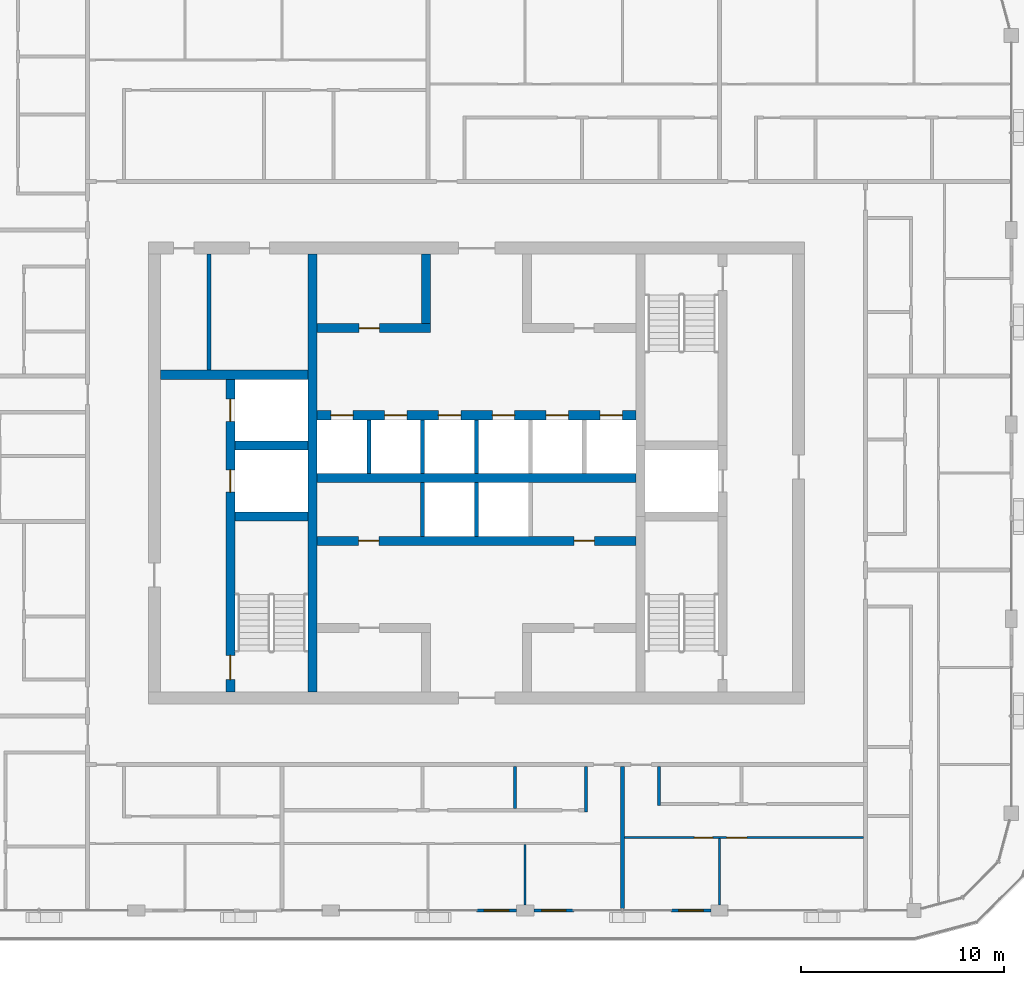
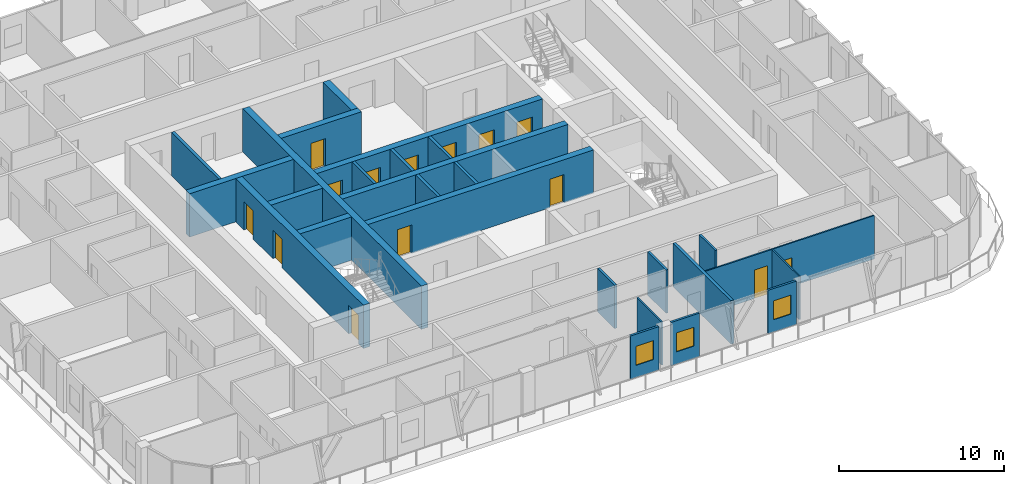
# One storey, part 11 of 21: 26 walls, 14 doors, 3 windows, 17 openings.
"""IFC4 building model written with IfcOpenShell, lengths in metres."""

from ifc_helpers import new_model, si_unit, direction, frame, frame_2d, origin, place, context, subcontext, project, spatial, rectangle, extrude, material, layer, layer_set, type_object, element, fill, save


model = new_model("IFC4")

# Units and contexts
model_context = context("Model", 3, precision=1e-05, world=origin(), true_north=direction((0.0, 1.0)))
body_context = subcontext(model_context, "Body", "Model", "MODEL_VIEW")
ifc_project = project(units=[si_unit("LENGTHUNIT", "METRE"), si_unit("AREAUNIT", "SQUARE_METRE"), si_unit("VOLUMEUNIT", "CUBIC_METRE"), si_unit("PLANEANGLEUNIT", "RADIAN"), si_unit("MASSUNIT", "GRAM", prefix="KILO")], contexts=[model_context])

# Site, building, storey
site_placement = place(None, origin())
site = spatial("IfcSite", under=ifc_project, at=site_placement, CompositionType="ELEMENT")
building_placement = place(site_placement, origin())
building = spatial("IfcBuilding", under=site, at=building_placement, Name="Madar Terraces", CompositionType="ELEMENT")
storey_placement = place(building_placement, frame((0.0, 0.0, 252.699951171875)))
storey = spatial("IfcBuildingStorey", under=building, at=storey_placement, Name="L66", CompositionType="ELEMENT", Elevation=252.699951171875)

# Wall, openings, doors
ifc_material_1 = material(Name="Concrete C55/67", Category="concrete")
ifc_layer_1 = layer(ifc_material_1, 0.449951171875)
ifc_layer_set_1 = layer_set([ifc_layer_1], Name="Concrete C55/67 (CIW5 RC wall 450)")
wall_type_1 = type_object("IfcWallType", Name="CIW5 RC wall 450", PredefinedType="SHEAR", material=ifc_layer_set_1)
wall_1_placement = place(storey_placement, frame((19.050048828125, 15.60009765625, 0.0), z_axis=(0.0, 0.0, 1.0), x_axis=(0.0, 1.0, 0.0)))
wall_1 = element("IfcWall", 1, at=wall_1_placement, inside=storey, type_object=wall_type_1, Name="CORE SHAFT WALL", PredefinedType="SHEAR", context=body_context, shape_type="SweptSolid", body=[
    extrude(rectangle(XDim=15.4248046875, YDim=0.449951171875, at=frame_2d((7.71240234375, 0.0))), origin(), (0.0, 0.0, 1.0), 3.199951171875),
])
opening_1_placement = place(wall_1_placement, frame((9.85009765625, 0.0, 0.0)))
opening_1 = element("IfcOpeningElement", 2, at=opening_1_placement, cuts=wall_1, Name="Opening LD", PredefinedType="OPENING", context=body_context, shape_type="SweptSolid", body=[
    extrude(rectangle(XDim=1.10009765625, YDim=2.10009765625, at=frame_2d((0.550048828125, 1.050048828125))), frame((0.0, 0.23486328125, 0.0), z_axis=(0.0, -1.0, 0.0), x_axis=(1.0, 0.0, 0.0)), (0.0, 0.0, 1.0), 0.469970703125),
])
opening_2_placement = place(wall_1_placement, frame((13.35009765625, 0.0, 0.0)))
opening_2 = element("IfcOpeningElement", 3, at=opening_2_placement, cuts=wall_1, Name="Opening LD", PredefinedType="OPENING", context=body_context, shape_type="SweptSolid", body=[
    extrude(rectangle(XDim=1.10009765625, YDim=2.10009765625, at=frame_2d((0.550048828125, 1.050048828125))), frame((0.0, 0.23486328125, 0.0), z_axis=(0.0, -1.0, 0.0), x_axis=(1.0, 0.0, 0.0)), (0.0, 0.0, 1.0), 0.469970703125),
])
opening_3_placement = place(wall_1_placement, frame((0.60009765625, 0.0, 0.0)))
opening_3 = element("IfcOpeningElement", 4, at=opening_3_placement, cuts=wall_1, Name="Opening SD1", PredefinedType="OPENING", context=body_context, shape_type="SweptSolid", body=[
    extrude(rectangle(XDim=1.199951171875, YDim=2.10009765625, at=frame_2d((0.60009765625, 1.050048828125))), frame((0.0, 0.23486328125, 0.0), z_axis=(0.0, -1.0, 0.0), x_axis=(1.0, 0.0, 0.0)), (0.0, 0.0, 1.0), 0.469970703125),
])
ifc_material_2 = material(Name="Stainless steel panel", Category="steel")
door_type_1 = type_object("IfcDoorType", Name="Lift landing door 1100 x 2100", OperationType="DOUBLE_DOOR_SLIDING", PredefinedType="DOOR", material=ifc_material_2)
door_1_placement = place(opening_1_placement, origin())
door_1 = element("IfcDoor", 5, at=door_1_placement, inside=storey, type_object=door_type_1, Name="LIFT LANDING DOOR", OperationType="DOUBLE_DOOR_SLIDING", OverallHeight=2.10009765625, OverallWidth=1.10009765625, PredefinedType="DOOR", context=body_context, shape_type="SweptSolid", body=[
    extrude(rectangle(XDim=1.10009765625, YDim=2.10009765625, at=frame_2d((0.550048828125, 1.050048828125))), frame((0.0, 0.02490234375, 0.0), z_axis=(0.0, -1.0, 0.0), x_axis=(1.0, 0.0, 0.0)), (0.0, 0.0, 1.0), 0.050048828125),
])
fill(opening_1, door_1)
door_2_placement = place(opening_2_placement, origin())
door_2 = element("IfcDoor", 6, at=door_2_placement, inside=storey, type_object=door_type_1, Name="LIFT LANDING DOOR", OperationType="DOUBLE_DOOR_SLIDING", OverallHeight=2.10009765625, OverallWidth=1.10009765625, PredefinedType="DOOR", context=body_context, shape_type="SweptSolid", body=[
    extrude(rectangle(XDim=1.10009765625, YDim=2.10009765625, at=frame_2d((0.550048828125, 1.050048828125))), frame((0.0, 0.02490234375, 0.0), z_axis=(0.0, -1.0, 0.0), x_axis=(1.0, 0.0, 0.0)), (0.0, 0.0, 1.0), 0.050048828125),
])
fill(opening_2, door_2)
ifc_material_3 = material(Name="Steel door leaf", Category="steel")
door_type_2 = type_object("IfcDoorType", Name="Stair door 1200 x 2100", OperationType="NOTDEFINED", PredefinedType="DOOR", material=ifc_material_3)
door_3_placement = place(opening_3_placement, frame((1.199951171875, 0.0, 0.0), z_axis=(0.0, 0.0, 1.0), x_axis=(-1.0, 0.0, 0.0)))
door_3 = element("IfcDoor", 7, at=door_3_placement, inside=storey, type_object=door_type_2, Name="STAIR DOOR", OperationType="SINGLE_SWING_RIGHT", OverallHeight=2.10009765625, OverallWidth=1.199951171875, PredefinedType="DOOR", context=body_context, shape_type="SweptSolid", body=[
    extrude(rectangle(XDim=1.199951171875, YDim=2.10009765625, at=frame_2d((0.60009765625, 1.050048828125))), frame((0.0, 0.02490234375, 0.0), z_axis=(0.0, -1.0, 0.0), x_axis=(1.0, 0.0, 0.0)), (0.0, 0.0, 1.0), 0.050048828125),
])
fill(opening_3, door_3)

# Walls
wall_2_placement = place(storey_placement, frame((23.10009765625, 15.60009765625, 0.0), z_axis=(0.0, 0.0, 1.0), x_axis=(0.0, 1.0, 0.0)))
element("IfcWall", 8, at=wall_2_placement, inside=storey, type_object=wall_type_1, Name="CORE SHAFT WALL", PredefinedType="SHEAR", context=body_context, shape_type="SweptSolid", body=[
    extrude(rectangle(XDim=21.599853515625, YDim=0.449951171875, at=frame_2d((10.7998046875, 0.0))), origin(), (0.0, 0.0, 1.0), 3.199951171875),
])
for number, where, z_axis, x_axis, name in (
    (9, (19.27490234375, 24.25, 0.0), (0.0, 0.0, 1.0), (1.0, 0.0, 0.0), "CORE SHAFT WALL"),
    (10, (19.27490234375, 27.75, 0.0), (0.0, 0.0, 1.0), (1.0, 0.0, 0.0), "CORE SHAFT WALL"),
):
    element("IfcWall", number, at=place(storey_placement, frame(where, z_axis=z_axis, x_axis=x_axis)), inside=storey, type_object=wall_type_1, Name=name, PredefinedType="SHEAR", context=body_context, shape_type="SweptSolid", body=[
        extrude(rectangle(XDim=3.60009765625, YDim=0.449951171875, at=frame_2d((1.800048828125, 0.0))), origin(), (0.0, 0.0, 1.0), 3.199951171875),
    ])
wall_3_placement = place(storey_placement, frame((15.60009765625, 31.25, 0.0), z_axis=(0.0, 0.0, 1.0), x_axis=(1.0, 0.0, 0.0)))
element("IfcWall", 11, at=wall_3_placement, inside=storey, type_object=wall_type_1, Name="CORE SHAFT WALL", PredefinedType="SHEAR", context=body_context, shape_type="SweptSolid", body=[
    extrude(rectangle(XDim=7.27490234375, YDim=0.449951171875, at=frame_2d((3.637451171875, 0.0))), origin(), (0.0, 0.0, 1.0), 3.199951171875),
])

# Wall, openings, doors
wall_4_placement = place(storey_placement, frame((23.324951171875, 23.050048828125, 0.0), z_axis=(0.0, 0.0, 1.0), x_axis=(1.0, 0.0, 0.0)))
wall_4 = element("IfcWall", 12, at=wall_4_placement, inside=storey, type_object=wall_type_1, Name="CORE SHAFT WALL", PredefinedType="SHEAR", context=body_context, shape_type="SweptSolid", body=[
    extrude(rectangle(XDim=15.75, YDim=0.449951171875, at=frame_2d((7.875, 0.0))), origin(), (0.0, 0.0, 1.0), 3.199951171875),
])
opening_4_placement = place(wall_4_placement, frame((2.058349609375, 0.0, 0.0)))
opening_4 = element("IfcOpeningElement", 13, at=opening_4_placement, cuts=wall_4, Name="Opening KD2", PredefinedType="OPENING", context=body_context, shape_type="SweptSolid", body=[
    extrude(rectangle(XDim=1.0, YDim=2.10009765625, at=frame_2d((0.5, 1.050048828125))), frame((0.0, 0.23486328125, 0.0), z_axis=(0.0, -1.0, 0.0), x_axis=(1.0, 0.0, 0.0)), (0.0, 0.0, 1.0), 0.469970703125),
])
opening_5_placement = place(wall_4_placement, frame((12.691650390625, 0.0, 0.0)))
opening_5 = element("IfcOpeningElement", 14, at=opening_5_placement, cuts=wall_4, Name="Opening KD2", PredefinedType="OPENING", context=body_context, shape_type="SweptSolid", body=[
    extrude(rectangle(XDim=1.0, YDim=2.10009765625, at=frame_2d((0.5, 1.050048828125))), frame((0.0, 0.23486328125, 0.0), z_axis=(0.0, -1.0, 0.0), x_axis=(1.0, 0.0, 0.0)), (0.0, 0.0, 1.0), 0.469970703125),
])
ifc_material_4 = material(Name="Steel door leaf", Category="steel")
door_type_3 = type_object("IfcDoorType", Name="Service room door 1000 x 2100", OperationType="NOTDEFINED", PredefinedType="DOOR", material=ifc_material_4)
door_4_placement = place(opening_4_placement, frame((1.0, 0.0, 0.0), z_axis=(0.0, 0.0, 1.0), x_axis=(-1.0, 0.0, 0.0)))
door_4 = element("IfcDoor", 15, at=door_4_placement, inside=storey, type_object=door_type_3, Name="SERVICE ROOM DOOR", OperationType="SINGLE_SWING_LEFT", OverallHeight=2.10009765625, OverallWidth=1.0, PredefinedType="DOOR", context=body_context, shape_type="SweptSolid", body=[
    extrude(rectangle(XDim=1.0, YDim=2.10009765625, at=frame_2d((0.5, 1.050048828125))), frame((0.0, 0.02490234375, 0.0), z_axis=(0.0, -1.0, 0.0), x_axis=(1.0, 0.0, 0.0)), (0.0, 0.0, 1.0), 0.050048828125),
])
fill(opening_4, door_4)
door_5_placement = place(opening_5_placement, frame((1.0, 0.0, 0.0), z_axis=(0.0, 0.0, 1.0), x_axis=(-1.0, 0.0, 0.0)))
door_5 = element("IfcDoor", 16, at=door_5_placement, inside=storey, type_object=door_type_3, Name="SERVICE ROOM DOOR", OperationType="SINGLE_SWING_RIGHT", OverallHeight=2.10009765625, OverallWidth=1.0, PredefinedType="DOOR", context=body_context, shape_type="SweptSolid", body=[
    extrude(rectangle(XDim=1.0, YDim=2.10009765625, at=frame_2d((0.5, 1.050048828125))), frame((0.0, 0.02490234375, 0.0), z_axis=(0.0, -1.0, 0.0), x_axis=(1.0, 0.0, 0.0)), (0.0, 0.0, 1.0), 0.050048828125),
])
fill(opening_5, door_5)

# Wall
wall_5_placement = place(storey_placement, frame((23.324951171875, 26.14990234375, 0.0), z_axis=(0.0, 0.0, 1.0), x_axis=(1.0, 0.0, 0.0)))
element("IfcWall", 17, at=wall_5_placement, inside=storey, type_object=wall_type_1, Name="CORE SHAFT WALL", PredefinedType="SHEAR", context=body_context, shape_type="SweptSolid", body=[
    extrude(rectangle(XDim=15.75, YDim=0.449951171875, at=frame_2d((7.875, 0.0))), origin(), (0.0, 0.0, 1.0), 3.199951171875),
])

# Wall, openings, doors
wall_6_placement = place(storey_placement, frame((23.324951171875, 29.25, 0.0), z_axis=(0.0, 0.0, 1.0), x_axis=(1.0, 0.0, 0.0)))
wall_6 = element("IfcWall", 18, at=wall_6_placement, inside=storey, type_object=wall_type_1, Name="CORE SHAFT WALL", PredefinedType="SHEAR", context=body_context, shape_type="SweptSolid", body=[
    extrude(rectangle(XDim=15.75, YDim=0.449951171875, at=frame_2d((7.875, 0.0))), origin(), (0.0, 0.0, 1.0), 3.199951171875),
])
opening_6_placement = place(wall_6_placement, frame((0.67919921875, 0.0, 0.0)))
opening_6 = element("IfcOpeningElement", 19, at=opening_6_placement, cuts=wall_6, Name="Opening LD", PredefinedType="OPENING", context=body_context, shape_type="SweptSolid", body=[
    extrude(rectangle(XDim=1.10009765625, YDim=2.10009765625, at=frame_2d((0.550048828125, 1.050048828125))), frame((0.0, 0.23486328125, 0.0), z_axis=(0.0, -1.0, 0.0), x_axis=(1.0, 0.0, 0.0)), (0.0, 0.0, 1.0), 0.469970703125),
])
opening_7_placement = place(wall_6_placement, frame((3.33740234375, 0.0, 0.0)))
opening_7 = element("IfcOpeningElement", 20, at=opening_7_placement, cuts=wall_6, Name="Opening LD", PredefinedType="OPENING", context=body_context, shape_type="SweptSolid", body=[
    extrude(rectangle(XDim=1.10009765625, YDim=2.10009765625, at=frame_2d((0.550048828125, 1.050048828125))), frame((0.0, 0.23486328125, 0.0), z_axis=(0.0, -1.0, 0.0), x_axis=(1.0, 0.0, 0.0)), (0.0, 0.0, 1.0), 0.469970703125),
])
opening_8_placement = place(wall_6_placement, frame((5.995849609375, 0.0, 0.0)))
opening_8 = element("IfcOpeningElement", 21, at=opening_8_placement, cuts=wall_6, Name="Opening LD", PredefinedType="OPENING", context=body_context, shape_type="SweptSolid", body=[
    extrude(rectangle(XDim=1.10009765625, YDim=2.10009765625, at=frame_2d((0.550048828125, 1.050048828125))), frame((0.0, 0.23486328125, 0.0), z_axis=(0.0, -1.0, 0.0), x_axis=(1.0, 0.0, 0.0)), (0.0, 0.0, 1.0), 0.469970703125),
])
opening_9_placement = place(wall_6_placement, frame((8.654052734375, 0.0, 0.0)))
opening_9 = element("IfcOpeningElement", 22, at=opening_9_placement, cuts=wall_6, Name="Opening LD", PredefinedType="OPENING", context=body_context, shape_type="SweptSolid", body=[
    extrude(rectangle(XDim=1.10009765625, YDim=2.10009765625, at=frame_2d((0.550048828125, 1.050048828125))), frame((0.0, 0.23486328125, 0.0), z_axis=(0.0, -1.0, 0.0), x_axis=(1.0, 0.0, 0.0)), (0.0, 0.0, 1.0), 0.469970703125),
])
opening_10_placement = place(wall_6_placement, frame((11.3125, 0.0, 0.0)))
opening_10 = element("IfcOpeningElement", 23, at=opening_10_placement, cuts=wall_6, Name="Opening LD", PredefinedType="OPENING", context=body_context, shape_type="SweptSolid", body=[
    extrude(rectangle(XDim=1.10009765625, YDim=2.10009765625, at=frame_2d((0.550048828125, 1.050048828125))), frame((0.0, 0.23486328125, 0.0), z_axis=(0.0, -1.0, 0.0), x_axis=(1.0, 0.0, 0.0)), (0.0, 0.0, 1.0), 0.469970703125),
])
opening_11_placement = place(wall_6_placement, frame((13.970947265625, 0.0, 0.0)))
opening_11 = element("IfcOpeningElement", 24, at=opening_11_placement, cuts=wall_6, Name="Opening LD", PredefinedType="OPENING", context=body_context, shape_type="SweptSolid", body=[
    extrude(rectangle(XDim=1.10009765625, YDim=2.10009765625, at=frame_2d((0.550048828125, 1.050048828125))), frame((0.0, 0.23486328125, 0.0), z_axis=(0.0, -1.0, 0.0), x_axis=(1.0, 0.0, 0.0)), (0.0, 0.0, 1.0), 0.469970703125),
])
door_6_placement = place(opening_6_placement, origin())
door_6 = element("IfcDoor", 25, at=door_6_placement, inside=storey, type_object=door_type_1, Name="LIFT LANDING DOOR", OperationType="DOUBLE_DOOR_SLIDING", OverallHeight=2.10009765625, OverallWidth=1.10009765625, PredefinedType="DOOR", context=body_context, shape_type="SweptSolid", body=[
    extrude(rectangle(XDim=1.10009765625, YDim=2.10009765625, at=frame_2d((0.550048828125, 1.050048828125))), frame((0.0, 0.02490234375, 0.0), z_axis=(0.0, -1.0, 0.0), x_axis=(1.0, 0.0, 0.0)), (0.0, 0.0, 1.0), 0.050048828125),
])
fill(opening_6, door_6)
door_7_placement = place(opening_7_placement, origin())
door_7 = element("IfcDoor", 26, at=door_7_placement, inside=storey, type_object=door_type_1, Name="LIFT LANDING DOOR", OperationType="DOUBLE_DOOR_SLIDING", OverallHeight=2.10009765625, OverallWidth=1.10009765625, PredefinedType="DOOR", context=body_context, shape_type="SweptSolid", body=[
    extrude(rectangle(XDim=1.10009765625, YDim=2.10009765625, at=frame_2d((0.550048828125, 1.050048828125))), frame((0.0, 0.02490234375, 0.0), z_axis=(0.0, -1.0, 0.0), x_axis=(1.0, 0.0, 0.0)), (0.0, 0.0, 1.0), 0.050048828125),
])
fill(opening_7, door_7)
door_8_placement = place(opening_8_placement, origin())
door_8 = element("IfcDoor", 27, at=door_8_placement, inside=storey, type_object=door_type_1, Name="LIFT LANDING DOOR", OperationType="DOUBLE_DOOR_SLIDING", OverallHeight=2.10009765625, OverallWidth=1.10009765625, PredefinedType="DOOR", context=body_context, shape_type="SweptSolid", body=[
    extrude(rectangle(XDim=1.10009765625, YDim=2.10009765625, at=frame_2d((0.550048828125, 1.050048828125))), frame((0.0, 0.02490234375, 0.0), z_axis=(0.0, -1.0, 0.0), x_axis=(1.0, 0.0, 0.0)), (0.0, 0.0, 1.0), 0.050048828125),
])
fill(opening_8, door_8)
door_9_placement = place(opening_9_placement, origin())
door_9 = element("IfcDoor", 28, at=door_9_placement, inside=storey, type_object=door_type_1, Name="LIFT LANDING DOOR", OperationType="DOUBLE_DOOR_SLIDING", OverallHeight=2.10009765625, OverallWidth=1.10009765625, PredefinedType="DOOR", context=body_context, shape_type="SweptSolid", body=[
    extrude(rectangle(XDim=1.10009765625, YDim=2.10009765625, at=frame_2d((0.550048828125, 1.050048828125))), frame((0.0, 0.02490234375, 0.0), z_axis=(0.0, -1.0, 0.0), x_axis=(1.0, 0.0, 0.0)), (0.0, 0.0, 1.0), 0.050048828125),
])
fill(opening_9, door_9)
door_10_placement = place(opening_10_placement, origin())
door_10 = element("IfcDoor", 29, at=door_10_placement, inside=storey, type_object=door_type_1, Name="LIFT LANDING DOOR", OperationType="DOUBLE_DOOR_SLIDING", OverallHeight=2.10009765625, OverallWidth=1.10009765625, PredefinedType="DOOR", context=body_context, shape_type="SweptSolid", body=[
    extrude(rectangle(XDim=1.10009765625, YDim=2.10009765625, at=frame_2d((0.550048828125, 1.050048828125))), frame((0.0, 0.02490234375, 0.0), z_axis=(0.0, -1.0, 0.0), x_axis=(1.0, 0.0, 0.0)), (0.0, 0.0, 1.0), 0.050048828125),
])
fill(opening_10, door_10)
door_11_placement = place(opening_11_placement, origin())
door_11 = element("IfcDoor", 30, at=door_11_placement, inside=storey, type_object=door_type_1, Name="LIFT LANDING DOOR", OperationType="DOUBLE_DOOR_SLIDING", OverallHeight=2.10009765625, OverallWidth=1.10009765625, PredefinedType="DOOR", context=body_context, shape_type="SweptSolid", body=[
    extrude(rectangle(XDim=1.10009765625, YDim=2.10009765625, at=frame_2d((0.550048828125, 1.050048828125))), frame((0.0, 0.02490234375, 0.0), z_axis=(0.0, -1.0, 0.0), x_axis=(1.0, 0.0, 0.0)), (0.0, 0.0, 1.0), 0.050048828125),
])
fill(opening_11, door_11)

# Wall, opening, door
wall_7_placement = place(storey_placement, frame((23.324951171875, 33.550048828125, 0.0), z_axis=(0.0, 0.0, 1.0), x_axis=(1.0, 0.0, 0.0)))
wall_7 = element("IfcWall", 31, at=wall_7_placement, inside=storey, type_object=wall_type_1, Name="CORE SHAFT WALL", PredefinedType="SHEAR", context=body_context, shape_type="SweptSolid", body=[
    extrude(rectangle(XDim=5.60009765625, YDim=0.449951171875, at=frame_2d((2.800048828125, 0.0))), origin(), (0.0, 0.0, 1.0), 3.199951171875),
])
opening_12_placement = place(wall_7_placement, frame((2.074951171875, 0.0, 0.0)))
opening_12 = element("IfcOpeningElement", 32, at=opening_12_placement, cuts=wall_7, Name="Opening KD2", PredefinedType="OPENING", context=body_context, shape_type="SweptSolid", body=[
    extrude(rectangle(XDim=1.0, YDim=2.10009765625, at=frame_2d((0.5, 1.050048828125))), frame((0.0, 0.23486328125, 0.0), z_axis=(0.0, -1.0, 0.0), x_axis=(1.0, 0.0, 0.0)), (0.0, 0.0, 1.0), 0.469970703125),
])
door_12_placement = place(opening_12_placement, frame((1.0, 0.0, 0.0), z_axis=(0.0, 0.0, 1.0), x_axis=(-1.0, 0.0, 0.0)))
door_12 = element("IfcDoor", 33, at=door_12_placement, inside=storey, type_object=door_type_3, Name="SERVICE ROOM DOOR", OperationType="SINGLE_SWING_LEFT", OverallHeight=2.10009765625, OverallWidth=1.0, PredefinedType="DOOR", context=body_context, shape_type="SweptSolid", body=[
    extrude(rectangle(XDim=1.0, YDim=2.10009765625, at=frame_2d((0.5, 1.050048828125))), frame((0.0, 0.02490234375, 0.0), z_axis=(0.0, -1.0, 0.0), x_axis=(1.0, 0.0, 0.0)), (0.0, 0.0, 1.0), 0.050048828125),
])
fill(opening_12, door_12)

# Walls
wall_8_placement = place(storey_placement, frame((28.699951171875, 33.77490234375, 0.0), z_axis=(0.0, 0.0, 1.0), x_axis=(0.0, 1.0, 0.0)))
element("IfcWall", 34, at=wall_8_placement, inside=storey, type_object=wall_type_1, Name="CORE SHAFT WALL", PredefinedType="SHEAR", context=body_context, shape_type="SweptSolid", body=[
    extrude(rectangle(XDim=3.425048828125, YDim=0.449951171875, at=frame_2d((1.71240234375, 0.0))), origin(), (0.0, 0.0, 1.0), 3.199951171875),
])
ifc_material_5 = material(Name="Masonry blockwork", Category="masonry")
ifc_layer_2 = layer(ifc_material_5, 0.199951171875)
ifc_layer_set_2 = layer_set([ifc_layer_2], Name="Core partition 200 blockwork")
wall_type_2 = type_object("IfcWallType", Name="Core partition 200 blockwork", PredefinedType="PARTITIONING", material=ifc_layer_set_2)
wall_9_placement = place(storey_placement, frame((18.000732421875, 31.47509765625, 0.0), z_axis=(0.0, 0.0, 1.0), x_axis=(0.0, 1.0, 0.0)))
element("IfcWall", 35, at=wall_9_placement, inside=storey, type_object=wall_type_2, Name="SERVICE ROOM PARTITION", PredefinedType="PARTITIONING", context=body_context, shape_type="SweptSolid", body=[
    extrude(rectangle(XDim=5.724853515625, YDim=0.199951171875, at=frame_2d((2.8623046875, 0.0))), origin(), (0.0, 0.0, 1.0), 3.199951171875),
])
ifc_material_6 = material(Name="Concrete C40/50", Category="concrete")
ifc_layer_3 = layer(ifc_material_6, 0.199951171875)
ifc_layer_set_3 = layer_set([ifc_layer_3], Name="Core shaft dividing wall 200 C40/50")
wall_type_3 = type_object("IfcWallType", Name="Core shaft dividing wall 200 C40/50", PredefinedType="SOLIDWALL", material=ifc_layer_set_3)
wall_10_placement = place(storey_placement, frame((25.88330078125, 26.375, 0.0), z_axis=(0.0, 0.0, 1.0), x_axis=(0.0, 1.0, 0.0)))
element("IfcWall", 36, at=wall_10_placement, inside=storey, type_object=wall_type_3, Name="SHAFT DIVIDING WALL", PredefinedType="SOLIDWALL", context=body_context, shape_type="SweptSolid", body=[
    extrude(rectangle(XDim=2.64990234375, YDim=0.199951171875, at=frame_2d((1.324951171875, 0.0))), origin(), (0.0, 0.0, 1.0), 3.199951171875),
])
wall_11_placement = place(storey_placement, frame((28.541748046875, 23.27490234375, 0.0), z_axis=(0.0, 0.0, 1.0), x_axis=(0.0, 1.0, 0.0)))
element("IfcWall", 37, at=wall_11_placement, inside=storey, type_object=wall_type_3, Name="SHAFT DIVIDING WALL", PredefinedType="SOLIDWALL", context=body_context, shape_type="SweptSolid", body=[
    extrude(rectangle(XDim=2.650146484375, YDim=0.199951171875, at=frame_2d((1.3251953125, 0.0))), origin(), (0.0, 0.0, 1.0), 3.199951171875),
])
wall_12_placement = place(storey_placement, frame((28.541748046875, 26.375, 0.0), z_axis=(0.0, 0.0, 1.0), x_axis=(0.0, 1.0, 0.0)))
element("IfcWall", 38, at=wall_12_placement, inside=storey, type_object=wall_type_3, Name="SHAFT DIVIDING WALL", PredefinedType="SOLIDWALL", context=body_context, shape_type="SweptSolid", body=[
    extrude(rectangle(XDim=2.64990234375, YDim=0.199951171875, at=frame_2d((1.324951171875, 0.0))), origin(), (0.0, 0.0, 1.0), 3.199951171875),
])
wall_13_placement = place(storey_placement, frame((31.199951171875, 23.27490234375, 0.0), z_axis=(0.0, 0.0, 1.0), x_axis=(0.0, 1.0, 0.0)))
element("IfcWall", 39, at=wall_13_placement, inside=storey, type_object=wall_type_3, Name="SHAFT DIVIDING WALL", PredefinedType="SOLIDWALL", context=body_context, shape_type="SweptSolid", body=[
    extrude(rectangle(XDim=2.650146484375, YDim=0.199951171875, at=frame_2d((1.3251953125, 0.0))), origin(), (0.0, 0.0, 1.0), 3.199951171875),
])
wall_14_placement = place(storey_placement, frame((31.199951171875, 26.375, 0.0), z_axis=(0.0, 0.0, 1.0), x_axis=(0.0, 1.0, 0.0)))
element("IfcWall", 40, at=wall_14_placement, inside=storey, type_object=wall_type_3, Name="SHAFT DIVIDING WALL", PredefinedType="SOLIDWALL", context=body_context, shape_type="SweptSolid", body=[
    extrude(rectangle(XDim=2.64990234375, YDim=0.199951171875, at=frame_2d((1.324951171875, 0.0))), origin(), (0.0, 0.0, 1.0), 3.199951171875),
])

# Wall, opening, window
ifc_material_7 = material(Name="Aluminium composite panel, black, over insulated backing", Category="aluminium")
ifc_layer_4 = layer(ifc_material_7, 0.14990234375)
ifc_layer_set_4 = layer_set([ifc_layer_4], Name="Facade bay panel 150")
wall_type_4 = type_object("IfcWallType", Name="Facade bay panel 150", PredefinedType="SOLIDWALL", material=ifc_layer_set_4)
wall_15_placement = place(storey_placement, frame((31.199951171875, 4.800048828125, 0.0), z_axis=(0.0, 0.0, 1.0), x_axis=(1.0, 0.0, 0.0)))
wall_15 = element("IfcWall", 41, at=wall_15_placement, inside=storey, type_object=wall_type_4, Name="Facade bay panel", PredefinedType="SOLIDWALL", context=body_context, shape_type="SweptSolid", body=[
    extrude(rectangle(XDim=1.97509765625, YDim=0.14990234375, at=frame_2d((0.987548828125, 0.0))), origin(), (0.0, 0.0, 1.0), 3.199951171875),
])
opening_13_placement = place(wall_15_placement, frame((0.387451171875, 0.0, 0.89990234375)))
opening_13 = element("IfcOpeningElement", 42, at=opening_13_placement, cuts=wall_15, Name="Opening W1", PredefinedType="OPENING", context=body_context, shape_type="SweptSolid", body=[
    extrude(rectangle(XDim=1.199951171875, YDim=1.39990234375, at=frame_2d((0.60009765625, 0.699951171875))), frame((0.0, 0.0849609375, 0.0), z_axis=(0.0, -1.0, 0.0), x_axis=(1.0, 0.0, 0.0)), (0.0, 0.0, 1.0), 0.169921875),
])
ifc_material_8 = material(Name="Glass, clear, with black aluminium frame", Category="aluminium")
window_type = type_object("IfcWindowType", Name="Vent window 1200 x 1400", PartitioningType="SINGLE_PANEL", PredefinedType="WINDOW", material=ifc_material_8)
window_1_placement = place(opening_13_placement, origin())
window_1 = element("IfcWindow", 43, at=window_1_placement, inside=storey, type_object=window_type, Name="Operable vent window", OverallHeight=1.39990234375, OverallWidth=1.199951171875, PartitioningType="SINGLE_PANEL", PredefinedType="WINDOW", context=body_context, shape_type="SweptSolid", body=[
    extrude(rectangle(XDim=1.199951171875, YDim=1.39990234375, at=frame_2d((0.60009765625, 0.699951171875))), frame((0.0, 0.030029296875, 0.0), z_axis=(0.0, -1.0, 0.0), x_axis=(1.0, 0.0, 0.0)), (0.0, 0.0, 1.0), 0.06005859375),
])
fill(opening_13, window_1)

wall_16_placement = place(storey_placement, frame((34.02490234375, 4.800048828125, 0.0), z_axis=(0.0, 0.0, 1.0), x_axis=(1.0, 0.0, 0.0)))
wall_16 = element("IfcWall", 44, at=wall_16_placement, inside=storey, type_object=wall_type_4, Name="Facade bay panel", PredefinedType="SOLIDWALL", context=body_context, shape_type="SweptSolid", body=[
    extrude(rectangle(XDim=1.97509765625, YDim=0.14990234375, at=frame_2d((0.987548828125, 0.0))), origin(), (0.0, 0.0, 1.0), 3.199951171875),
])
opening_14_placement = place(wall_16_placement, frame((0.387451171875, 0.0, 0.89990234375)))
opening_14 = element("IfcOpeningElement", 45, at=opening_14_placement, cuts=wall_16, Name="Opening W1", PredefinedType="OPENING", context=body_context, shape_type="SweptSolid", body=[
    extrude(rectangle(XDim=1.199951171875, YDim=1.39990234375, at=frame_2d((0.60009765625, 0.699951171875))), frame((0.0, 0.0849609375, 0.0), z_axis=(0.0, -1.0, 0.0), x_axis=(1.0, 0.0, 0.0)), (0.0, 0.0, 1.0), 0.169921875),
])
window_2_placement = place(opening_14_placement, origin())
window_2 = element("IfcWindow", 46, at=window_2_placement, inside=storey, type_object=window_type, Name="Operable vent window", OverallHeight=1.39990234375, OverallWidth=1.199951171875, PartitioningType="SINGLE_PANEL", PredefinedType="WINDOW", context=body_context, shape_type="SweptSolid", body=[
    extrude(rectangle(XDim=1.199951171875, YDim=1.39990234375, at=frame_2d((0.60009765625, 0.699951171875))), frame((0.0, 0.030029296875, 0.0), z_axis=(0.0, -1.0, 0.0), x_axis=(1.0, 0.0, 0.0)), (0.0, 0.0, 1.0), 0.06005859375),
])
fill(opening_14, window_2)

wall_17_placement = place(storey_placement, frame((40.800048828125, 4.800048828125, 0.0), z_axis=(0.0, 0.0, 1.0), x_axis=(1.0, 0.0, 0.0)))
wall_17 = element("IfcWall", 47, at=wall_17_placement, inside=storey, type_object=wall_type_4, Name="Facade bay panel", PredefinedType="SOLIDWALL", context=body_context, shape_type="SweptSolid", body=[
    extrude(rectangle(XDim=1.974853515625, YDim=0.14990234375, at=frame_2d((0.9873046875, 0.0))), origin(), (0.0, 0.0, 1.0), 3.199951171875),
])
opening_15_placement = place(wall_17_placement, frame((0.387451171875, 0.0, 0.89990234375)))
opening_15 = element("IfcOpeningElement", 48, at=opening_15_placement, cuts=wall_17, Name="Opening W1", PredefinedType="OPENING", context=body_context, shape_type="SweptSolid", body=[
    extrude(rectangle(XDim=1.199951171875, YDim=1.39990234375, at=frame_2d((0.60009765625, 0.699951171875))), frame((0.0, 0.0849609375, 0.0), z_axis=(0.0, -1.0, 0.0), x_axis=(1.0, 0.0, 0.0)), (0.0, 0.0, 1.0), 0.169921875),
])
window_3_placement = place(opening_15_placement, origin())
window_3 = element("IfcWindow", 49, at=window_3_placement, inside=storey, type_object=window_type, Name="Operable vent window", OverallHeight=1.39990234375, OverallWidth=1.199951171875, PartitioningType="SINGLE_PANEL", PredefinedType="WINDOW", context=body_context, shape_type="SweptSolid", body=[
    extrude(rectangle(XDim=1.199951171875, YDim=1.39990234375, at=frame_2d((0.60009765625, 0.699951171875))), frame((0.0, 0.030029296875, 0.0), z_axis=(0.0, -1.0, 0.0), x_axis=(1.0, 0.0, 0.0)), (0.0, 0.0, 1.0), 0.06005859375),
])
fill(opening_15, window_3)

# Walls
ifc_material_9 = material(Name="Gypsum board on steel studs", Category="steel")
ifc_layer_5 = layer(ifc_material_9, 0.10009765625)
ifc_layer_set_5 = layer_set([ifc_layer_5], Name="Flat partition 100")
wall_type_5 = type_object("IfcWallType", Name="Flat partition 100", PredefinedType="PARTITIONING", material=ifc_layer_set_5)
wall_18_placement = place(storey_placement, frame((33.60009765625, 8.050048828125, 0.0), z_axis=(0.0, 0.0, 1.0), x_axis=(0.0, -1.0, 0.0)))
element("IfcWall", 50, at=wall_18_placement, inside=storey, type_object=wall_type_5, Name="Flat partition 100", PredefinedType="PARTITIONING", context=body_context, shape_type="SweptSolid", body=[
    extrude(rectangle(XDim=2.97509765625, YDim=0.10009765625, at=frame_2d((1.487548828125, 0.0))), origin(), (0.0, 0.0, 1.0), 3.199951171875),
])
wall_19_placement = place(storey_placement, frame((43.199951171875, 8.35009765625, 0.0), z_axis=(0.0, 0.0, 1.0), x_axis=(0.0, -1.0, 0.0)))
element("IfcWall", 51, at=wall_19_placement, inside=storey, type_object=wall_type_5, Name="Flat partition 100", PredefinedType="PARTITIONING", context=body_context, shape_type="SweptSolid", body=[
    extrude(rectangle(XDim=3.275146484375, YDim=0.10009765625, at=frame_2d((1.6376953125, 0.0))), origin(), (0.0, 0.0, 1.0), 3.199951171875),
])

# Wall, openings, doors
wall_20_placement = place(storey_placement, frame((50.300048828125, 8.39990234375, 0.0), z_axis=(0.0, 0.0, 1.0), x_axis=(-1.0, 0.0, 0.0)))
wall_20 = element("IfcWall", 52, at=wall_20_placement, inside=storey, type_object=wall_type_5, Name="Flat partition 100", PredefinedType="PARTITIONING", context=body_context, shape_type="SweptSolid", body=[
    extrude(rectangle(XDim=11.800048828125, YDim=0.10009765625, at=frame_2d((5.89990234375, 0.0))), origin(), (0.0, 0.0, 1.0), 3.199951171875),
])
opening_16_placement = place(wall_20_placement, frame((7.449951171875, 0.0, 0.0)))
opening_16 = element("IfcOpeningElement", 53, at=opening_16_placement, cuts=wall_20, Name="Opening D2", PredefinedType="OPENING", context=body_context, shape_type="SweptSolid", body=[
    extrude(rectangle(XDim=0.89990234375, YDim=2.10009765625, at=frame_2d((0.449951171875, 1.050048828125))), frame((0.0, 0.06005859375, 0.0), z_axis=(0.0, -1.0, 0.0), x_axis=(1.0, 0.0, 0.0)), (0.0, 0.0, 1.0), 0.1201171875),
])
opening_17_placement = place(wall_20_placement, frame((5.75, 0.0, 0.0)))
opening_17 = element("IfcOpeningElement", 54, at=opening_17_placement, cuts=wall_20, Name="Opening D3", PredefinedType="OPENING", context=body_context, shape_type="SweptSolid", body=[
    extrude(rectangle(XDim=1.0, YDim=2.10009765625, at=frame_2d((0.5, 1.050048828125))), frame((0.0, 0.06005859375, 0.0), z_axis=(0.0, -1.0, 0.0), x_axis=(1.0, 0.0, 0.0)), (0.0, 0.0, 1.0), 0.1201171875),
])
ifc_material_10 = material(Name="Timber door leaf", Category="wood")
door_type_4 = type_object("IfcDoorType", Name="Flat living room door 1000", OperationType="NOTDEFINED", PredefinedType="DOOR", material=ifc_material_10)
door_13_placement = place(opening_17_placement, origin())
door_13 = element("IfcDoor", 55, at=door_13_placement, inside=storey, type_object=door_type_4, Name="Flat living room door 1000", OperationType="SINGLE_SWING_RIGHT", OverallHeight=2.10009765625, OverallWidth=1.0, PredefinedType="DOOR", context=body_context, shape_type="SweptSolid", body=[
    extrude(rectangle(XDim=1.0, YDim=2.10009765625, at=frame_2d((0.5, 1.050048828125))), frame((0.0, 0.02490234375, 0.0), z_axis=(0.0, -1.0, 0.0), x_axis=(1.0, 0.0, 0.0)), (0.0, 0.0, 1.0), 0.050048828125),
])
fill(opening_17, door_13)
ifc_material_11 = material(Name="Timber door leaf", Category="wood")
door_type_5 = type_object("IfcDoorType", Name="Flat room door 900", OperationType="NOTDEFINED", PredefinedType="DOOR", material=ifc_material_11)
door_14_placement = place(opening_16_placement, origin())
door_14 = element("IfcDoor", 56, at=door_14_placement, inside=storey, type_object=door_type_5, Name="Flat room door 900", OperationType="SINGLE_SWING_LEFT", OverallHeight=2.10009765625, OverallWidth=0.89990234375, PredefinedType="DOOR", context=body_context, shape_type="SweptSolid", body=[
    extrude(rectangle(XDim=0.89990234375, YDim=2.10009765625, at=frame_2d((0.449951171875, 1.050048828125))), frame((0.0, 0.02490234375, 0.0), z_axis=(0.0, -1.0, 0.0), x_axis=(1.0, 0.0, 0.0)), (0.0, 0.0, 1.0), 0.050048828125),
])
fill(opening_16, door_14)

# Walls
ifc_material_12 = material(Name="Lightweight blockwork", Category="masonry")
ifc_layer_6 = layer(ifc_material_12, 0.199951171875)
ifc_layer_set_6 = layer_set([ifc_layer_6], Name="Flat party and entrance wall 200")
wall_type_6 = type_object("IfcWallType", Name="Flat party and entrance wall 200", PredefinedType="PARTITIONING", material=ifc_layer_set_6)
wall_21_placement = place(storey_placement, frame((38.39990234375, 11.89990234375, 0.0), z_axis=(0.0, 0.0, 1.0), x_axis=(0.0, -1.0, 0.0)))
element("IfcWall", 57, at=wall_21_placement, inside=storey, type_object=wall_type_6, Name="Flat party and entrance wall 200", PredefinedType="PARTITIONING", context=body_context, shape_type="SweptSolid", body=[
    extrude(rectangle(XDim=7.0, YDim=0.199951171875, at=frame_2d((3.5, 0.0))), origin(), (0.0, 0.0, 1.0), 3.199951171875),
])
ifc_material_13 = material(Name="Lightweight blockwork", Category="masonry")
ifc_layer_7 = layer(ifc_material_13, 0.14990234375)
ifc_layer_set_7 = layer_set([ifc_layer_7], Name="Flat wet-room partition 150")
wall_type_7 = type_object("IfcWallType", Name="Flat wet-room partition 150", PredefinedType="PARTITIONING", material=ifc_layer_set_7)
wall_22_placement = place(storey_placement, frame((33.103759765625, 11.89990234375, 0.0), z_axis=(0.0, 0.0, 1.0), x_axis=(0.0, -1.0, 0.0)))
element("IfcWall", 58, at=wall_22_placement, inside=storey, type_object=wall_type_7, Name="Flat wet-room partition 150", PredefinedType="PARTITIONING", context=body_context, shape_type="SweptSolid", body=[
    extrude(rectangle(XDim=2.074951171875, YDim=0.14990234375, at=frame_2d((1.03759765625, 0.0))), origin(), (0.0, 0.0, 1.0), 3.199951171875),
])
wall_23_placement = place(storey_placement, frame((36.60009765625, 11.89990234375, 0.0), z_axis=(0.0, 0.0, 1.0), x_axis=(0.0, -1.0, 0.0)))
element("IfcWall", 59, at=wall_23_placement, inside=storey, type_object=wall_type_7, Name="Flat wet-room partition 150", PredefinedType="PARTITIONING", context=body_context, shape_type="SweptSolid", body=[
    extrude(rectangle(XDim=2.224853515625, YDim=0.14990234375, at=frame_2d((1.1123046875, 0.0))), origin(), (0.0, 0.0, 1.0), 3.199951171875),
])
wall_24_placement = place(storey_placement, frame((40.199951171875, 11.89990234375, 0.0), z_axis=(0.0, 0.0, 1.0), x_axis=(0.0, -1.0, 0.0)))
element("IfcWall", 60, at=wall_24_placement, inside=storey, type_object=wall_type_7, Name="Flat wet-room partition 150", PredefinedType="PARTITIONING", context=body_context, shape_type="SweptSolid", body=[
    extrude(rectangle(XDim=1.9248046875, YDim=0.14990234375, at=frame_2d((0.96240234375, 0.0))), origin(), (0.0, 0.0, 1.0), 3.199951171875),
])

save(model, "model.ifc")
